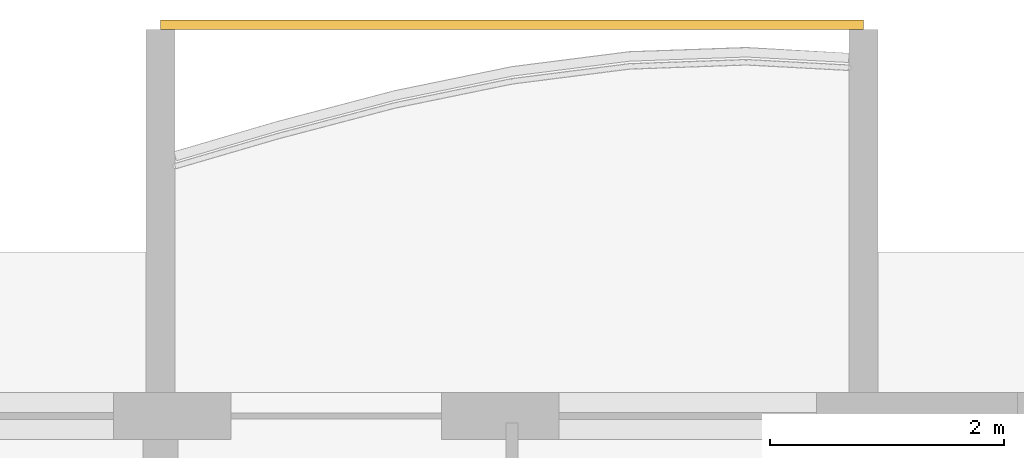
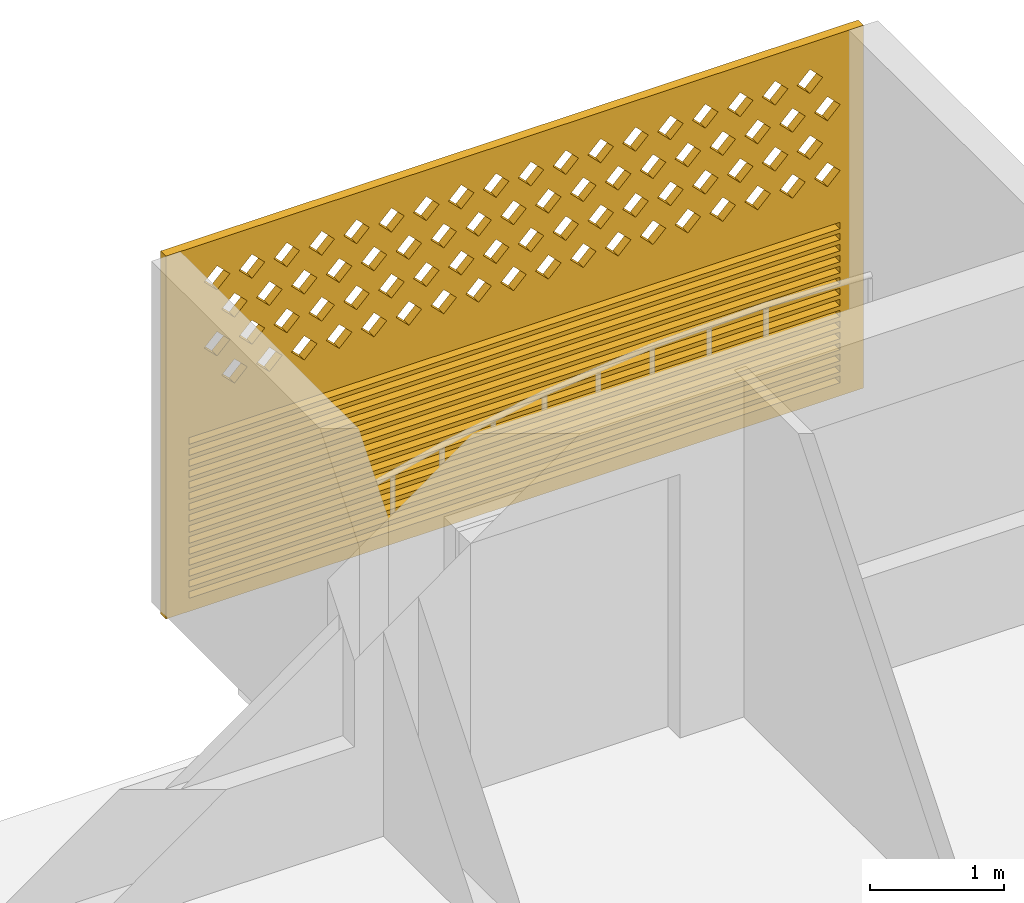
# One storey, part 32 of 32: 1 covering.
"""IFC4 building model written with IfcOpenShell, lengths in metres."""

from ifc_helpers import new_model, si_unit, direction, frame, origin, place, context, subcontext, project, spatial, polyline, outline, extrude, source, transform, mapped, material, material_profile, profile_set, type_object, element, save


model = new_model("IFC4")

# Units and contexts
model_context = context("Model", 3, precision=1e-05, world=origin(), true_north=direction((0.0, 1.0)))
body_context = subcontext(model_context, "Body", "Model", "MODEL_VIEW")
ifc_project = project(units=[si_unit("LENGTHUNIT", "METRE"), si_unit("AREAUNIT", "SQUARE_METRE"), si_unit("VOLUMEUNIT", "CUBIC_METRE"), si_unit("PLANEANGLEUNIT", "RADIAN"), si_unit("MASSUNIT", "GRAM", prefix="KILO")], contexts=[model_context])

# Site, building, storey
site_placement = place(None, origin())
site = spatial("IfcSite", under=ifc_project, at=site_placement, CompositionType="ELEMENT")
building_placement = place(site_placement, origin())
building = spatial("IfcBuilding", under=site, at=building_placement, Name="Poui Terraces", CompositionType="ELEMENT")
storey_placement = place(building_placement, frame((0.0, 0.0, 122.39990234375)))
storey = spatial("IfcBuildingStorey", under=building, at=storey_placement, Name="L33", CompositionType="ELEMENT", Elevation=122.39990234375)

# Covering
ifc_material = material(Name="Terracotta screen", Category="masonry")
ifc_material_profile = material_profile(ifc_material, outline(polyline([(-3.0, -1.64990234375), (3.0, -1.64990234375), (3.0, 1.64990234375), (-3.0, 1.64990234375), (-3.0, -1.64990234375)]), holes=[polyline([(-2.800048828125, 0.39990234375), (-2.68994140625, 0.2900390625), (-2.580078125, 0.39990234375), (-2.68994140625, 0.510009765625), (-2.800048828125, 0.39990234375)]), polyline([(-2.5, 0.39990234375), (-2.389892578125, 0.2900390625), (-2.280029296875, 0.39990234375), (-2.389892578125, 0.510009765625), (-2.5, 0.39990234375)]), polyline([(-2.199951171875, 0.39990234375), (-2.090087890625, 0.2900390625), (-1.97998046875, 0.39990234375), (-2.090087890625, 0.510009765625), (-2.199951171875, 0.39990234375)]), polyline([(-1.89990234375, 0.39990234375), (-1.7900390625, 0.2900390625), (-1.679931640625, 0.39990234375), (-1.7900390625, 0.510009765625), (-1.89990234375, 0.39990234375)]), polyline([(-1.60009765625, 0.39990234375), (-1.489990234375, 0.2900390625), (-1.3798828125, 0.39990234375), (-1.489990234375, 0.510009765625), (-1.60009765625, 0.39990234375)]), polyline([(-1.300048828125, 0.39990234375), (-1.18994140625, 0.2900390625), (-1.080078125, 0.39990234375), (-1.18994140625, 0.510009765625), (-1.300048828125, 0.39990234375)]), polyline([(-1.0, 0.39990234375), (-0.889892578125, 0.2900390625), (-0.780029296875, 0.39990234375), (-0.889892578125, 0.510009765625), (-1.0, 0.39990234375)]), polyline([(-0.699951171875, 0.39990234375), (-0.590087890625, 0.2900390625), (-0.47998046875, 0.39990234375), (-0.590087890625, 0.510009765625), (-0.699951171875, 0.39990234375)]), polyline([(-0.39990234375, 0.39990234375), (-0.2900390625, 0.2900390625), (-0.179931640625, 0.39990234375), (-0.2900390625, 0.510009765625), (-0.39990234375, 0.39990234375)]), polyline([(-0.10009765625, 0.39990234375), (0.010009765625, 0.2900390625), (0.1201171875, 0.39990234375), (0.010009765625, 0.510009765625), (-0.10009765625, 0.39990234375)]), polyline([(0.199951171875, 0.39990234375), (0.31005859375, 0.2900390625), (0.419921875, 0.39990234375), (0.31005859375, 0.510009765625), (0.199951171875, 0.39990234375)]), polyline([(0.5, 0.39990234375), (0.610107421875, 0.2900390625), (0.719970703125, 0.39990234375), (0.610107421875, 0.510009765625), (0.5, 0.39990234375)]), polyline([(0.800048828125, 0.39990234375), (0.909912109375, 0.2900390625), (1.02001953125, 0.39990234375), (0.909912109375, 0.510009765625), (0.800048828125, 0.39990234375)]), polyline([(1.10009765625, 0.39990234375), (1.2099609375, 0.2900390625), (1.320068359375, 0.39990234375), (1.2099609375, 0.510009765625), (1.10009765625, 0.39990234375)]), polyline([(1.39990234375, 0.39990234375), (1.510009765625, 0.2900390625), (1.6201171875, 0.39990234375), (1.510009765625, 0.510009765625), (1.39990234375, 0.39990234375)]), polyline([(1.699951171875, 0.39990234375), (1.81005859375, 0.2900390625), (1.919921875, 0.39990234375), (1.81005859375, 0.510009765625), (1.699951171875, 0.39990234375)]), polyline([(2.0, 0.39990234375), (2.110107421875, 0.2900390625), (2.219970703125, 0.39990234375), (2.110107421875, 0.510009765625), (2.0, 0.39990234375)]), polyline([(2.300048828125, 0.39990234375), (2.409912109375, 0.2900390625), (2.52001953125, 0.39990234375), (2.409912109375, 0.510009765625), (2.300048828125, 0.39990234375)]), polyline([(-2.64990234375, 0.699951171875), (-2.5400390625, 0.590087890625), (-2.429931640625, 0.699951171875), (-2.5400390625, 0.81005859375), (-2.64990234375, 0.699951171875)]), polyline([(-2.35009765625, 0.699951171875), (-2.239990234375, 0.590087890625), (-2.1298828125, 0.699951171875), (-2.239990234375, 0.81005859375), (-2.35009765625, 0.699951171875)]), polyline([(-2.050048828125, 0.699951171875), (-1.93994140625, 0.590087890625), (-1.830078125, 0.699951171875), (-1.93994140625, 0.81005859375), (-2.050048828125, 0.699951171875)]), polyline([(-1.75, 0.699951171875), (-1.639892578125, 0.590087890625), (-1.530029296875, 0.699951171875), (-1.639892578125, 0.81005859375), (-1.75, 0.699951171875)]), polyline([(-1.449951171875, 0.699951171875), (-1.340087890625, 0.590087890625), (-1.22998046875, 0.699951171875), (-1.340087890625, 0.81005859375), (-1.449951171875, 0.699951171875)]), polyline([(-1.14990234375, 0.699951171875), (-1.0400390625, 0.590087890625), (-0.929931640625, 0.699951171875), (-1.0400390625, 0.81005859375), (-1.14990234375, 0.699951171875)]), polyline([(-0.85009765625, 0.699951171875), (-0.739990234375, 0.590087890625), (-0.6298828125, 0.699951171875), (-0.739990234375, 0.81005859375), (-0.85009765625, 0.699951171875)]), polyline([(-0.550048828125, 0.699951171875), (-0.43994140625, 0.590087890625), (-0.330078125, 0.699951171875), (-0.43994140625, 0.81005859375), (-0.550048828125, 0.699951171875)]), polyline([(-0.25, 0.699951171875), (-0.139892578125, 0.590087890625), (-0.030029296875, 0.699951171875), (-0.139892578125, 0.81005859375), (-0.25, 0.699951171875)]), polyline([(0.050048828125, 0.699951171875), (0.159912109375, 0.590087890625), (0.27001953125, 0.699951171875), (0.159912109375, 0.81005859375), (0.050048828125, 0.699951171875)]), polyline([(0.35009765625, 0.699951171875), (0.4599609375, 0.590087890625), (0.570068359375, 0.699951171875), (0.4599609375, 0.81005859375), (0.35009765625, 0.699951171875)]), polyline([(0.64990234375, 0.699951171875), (0.760009765625, 0.590087890625), (0.8701171875, 0.699951171875), (0.760009765625, 0.81005859375), (0.64990234375, 0.699951171875)]), polyline([(0.949951171875, 0.699951171875), (1.06005859375, 0.590087890625), (1.169921875, 0.699951171875), (1.06005859375, 0.81005859375), (0.949951171875, 0.699951171875)]), polyline([(1.25, 0.699951171875), (1.360107421875, 0.590087890625), (1.469970703125, 0.699951171875), (1.360107421875, 0.81005859375), (1.25, 0.699951171875)]), polyline([(1.550048828125, 0.699951171875), (1.659912109375, 0.590087890625), (1.77001953125, 0.699951171875), (1.659912109375, 0.81005859375), (1.550048828125, 0.699951171875)]), polyline([(1.85009765625, 0.699951171875), (1.9599609375, 0.590087890625), (2.070068359375, 0.699951171875), (1.9599609375, 0.81005859375), (1.85009765625, 0.699951171875)]), polyline([(2.14990234375, 0.699951171875), (2.260009765625, 0.590087890625), (2.3701171875, 0.699951171875), (2.260009765625, 0.81005859375), (2.14990234375, 0.699951171875)]), polyline([(2.449951171875, 0.699951171875), (2.56005859375, 0.590087890625), (2.669921875, 0.699951171875), (2.56005859375, 0.81005859375), (2.449951171875, 0.699951171875)]), polyline([(-2.800048828125, 1.0), (-2.68994140625, 0.889892578125), (-2.580078125, 1.0), (-2.68994140625, 1.110107421875), (-2.800048828125, 1.0)]), polyline([(-2.5, 1.0), (-2.389892578125, 0.889892578125), (-2.280029296875, 1.0), (-2.389892578125, 1.110107421875), (-2.5, 1.0)]), polyline([(-2.199951171875, 1.0), (-2.090087890625, 0.889892578125), (-1.97998046875, 1.0), (-2.090087890625, 1.110107421875), (-2.199951171875, 1.0)]), polyline([(-1.89990234375, 1.0), (-1.7900390625, 0.889892578125), (-1.679931640625, 1.0), (-1.7900390625, 1.110107421875), (-1.89990234375, 1.0)]), polyline([(-1.60009765625, 1.0), (-1.489990234375, 0.889892578125), (-1.3798828125, 1.0), (-1.489990234375, 1.110107421875), (-1.60009765625, 1.0)]), polyline([(-1.300048828125, 1.0), (-1.18994140625, 0.889892578125), (-1.080078125, 1.0), (-1.18994140625, 1.110107421875), (-1.300048828125, 1.0)]), polyline([(-1.0, 1.0), (-0.889892578125, 0.889892578125), (-0.780029296875, 1.0), (-0.889892578125, 1.110107421875), (-1.0, 1.0)]), polyline([(-0.699951171875, 1.0), (-0.590087890625, 0.889892578125), (-0.47998046875, 1.0), (-0.590087890625, 1.110107421875), (-0.699951171875, 1.0)]), polyline([(-0.39990234375, 1.0), (-0.2900390625, 0.889892578125), (-0.179931640625, 1.0), (-0.2900390625, 1.110107421875), (-0.39990234375, 1.0)]), polyline([(-0.10009765625, 1.0), (0.010009765625, 0.889892578125), (0.1201171875, 1.0), (0.010009765625, 1.110107421875), (-0.10009765625, 1.0)]), polyline([(0.199951171875, 1.0), (0.31005859375, 0.889892578125), (0.419921875, 1.0), (0.31005859375, 1.110107421875), (0.199951171875, 1.0)]), polyline([(0.5, 1.0), (0.610107421875, 0.889892578125), (0.719970703125, 1.0), (0.610107421875, 1.110107421875), (0.5, 1.0)]), polyline([(0.800048828125, 1.0), (0.909912109375, 0.889892578125), (1.02001953125, 1.0), (0.909912109375, 1.110107421875), (0.800048828125, 1.0)]), polyline([(1.10009765625, 1.0), (1.2099609375, 0.889892578125), (1.320068359375, 1.0), (1.2099609375, 1.110107421875), (1.10009765625, 1.0)]), polyline([(1.39990234375, 1.0), (1.510009765625, 0.889892578125), (1.6201171875, 1.0), (1.510009765625, 1.110107421875), (1.39990234375, 1.0)]), polyline([(1.699951171875, 1.0), (1.81005859375, 0.889892578125), (1.919921875, 1.0), (1.81005859375, 1.110107421875), (1.699951171875, 1.0)]), polyline([(2.0, 1.0), (2.110107421875, 0.889892578125), (2.219970703125, 1.0), (2.110107421875, 1.110107421875), (2.0, 1.0)]), polyline([(2.300048828125, 1.0), (2.409912109375, 0.889892578125), (2.52001953125, 1.0), (2.409912109375, 1.110107421875), (2.300048828125, 1.0)]), polyline([(-2.64990234375, 1.300048828125), (-2.5400390625, 1.18994140625), (-2.429931640625, 1.300048828125), (-2.5400390625, 1.409912109375), (-2.64990234375, 1.300048828125)]), polyline([(-2.35009765625, 1.300048828125), (-2.239990234375, 1.18994140625), (-2.1298828125, 1.300048828125), (-2.239990234375, 1.409912109375), (-2.35009765625, 1.300048828125)]), polyline([(-2.050048828125, 1.300048828125), (-1.93994140625, 1.18994140625), (-1.830078125, 1.300048828125), (-1.93994140625, 1.409912109375), (-2.050048828125, 1.300048828125)]), polyline([(-1.75, 1.300048828125), (-1.639892578125, 1.18994140625), (-1.530029296875, 1.300048828125), (-1.639892578125, 1.409912109375), (-1.75, 1.300048828125)]), polyline([(-1.449951171875, 1.300048828125), (-1.340087890625, 1.18994140625), (-1.22998046875, 1.300048828125), (-1.340087890625, 1.409912109375), (-1.449951171875, 1.300048828125)]), polyline([(-1.14990234375, 1.300048828125), (-1.0400390625, 1.18994140625), (-0.929931640625, 1.300048828125), (-1.0400390625, 1.409912109375), (-1.14990234375, 1.300048828125)]), polyline([(-0.85009765625, 1.300048828125), (-0.739990234375, 1.18994140625), (-0.6298828125, 1.300048828125), (-0.739990234375, 1.409912109375), (-0.85009765625, 1.300048828125)]), polyline([(-0.550048828125, 1.300048828125), (-0.43994140625, 1.18994140625), (-0.330078125, 1.300048828125), (-0.43994140625, 1.409912109375), (-0.550048828125, 1.300048828125)]), polyline([(-0.25, 1.300048828125), (-0.139892578125, 1.18994140625), (-0.030029296875, 1.300048828125), (-0.139892578125, 1.409912109375), (-0.25, 1.300048828125)]), polyline([(0.050048828125, 1.300048828125), (0.159912109375, 1.18994140625), (0.27001953125, 1.300048828125), (0.159912109375, 1.409912109375), (0.050048828125, 1.300048828125)]), polyline([(0.35009765625, 1.300048828125), (0.4599609375, 1.18994140625), (0.570068359375, 1.300048828125), (0.4599609375, 1.409912109375), (0.35009765625, 1.300048828125)]), polyline([(0.64990234375, 1.300048828125), (0.760009765625, 1.18994140625), (0.8701171875, 1.300048828125), (0.760009765625, 1.409912109375), (0.64990234375, 1.300048828125)]), polyline([(0.949951171875, 1.300048828125), (1.06005859375, 1.18994140625), (1.169921875, 1.300048828125), (1.06005859375, 1.409912109375), (0.949951171875, 1.300048828125)]), polyline([(1.25, 1.300048828125), (1.360107421875, 1.18994140625), (1.469970703125, 1.300048828125), (1.360107421875, 1.409912109375), (1.25, 1.300048828125)]), polyline([(1.550048828125, 1.300048828125), (1.659912109375, 1.18994140625), (1.77001953125, 1.300048828125), (1.659912109375, 1.409912109375), (1.550048828125, 1.300048828125)]), polyline([(1.85009765625, 1.300048828125), (1.9599609375, 1.18994140625), (2.070068359375, 1.300048828125), (1.9599609375, 1.409912109375), (1.85009765625, 1.300048828125)]), polyline([(2.14990234375, 1.300048828125), (2.260009765625, 1.18994140625), (2.3701171875, 1.300048828125), (2.260009765625, 1.409912109375), (2.14990234375, 1.300048828125)]), polyline([(2.449951171875, 1.300048828125), (2.56005859375, 1.18994140625), (2.669921875, 1.300048828125), (2.56005859375, 1.409912109375), (2.449951171875, 1.300048828125)]), polyline([(-2.800048828125, -1.530029296875), (2.800048828125, -1.530029296875), (2.800048828125, -1.469970703125), (-2.800048828125, -1.469970703125), (-2.800048828125, -1.530029296875)]), polyline([(-2.800048828125, -1.429931640625), (2.800048828125, -1.429931640625), (2.800048828125, -1.3701171875), (-2.800048828125, -1.3701171875), (-2.800048828125, -1.429931640625)]), polyline([(-2.800048828125, -1.330078125), (2.800048828125, -1.330078125), (2.800048828125, -1.27001953125), (-2.800048828125, -1.27001953125), (-2.800048828125, -1.330078125)]), polyline([(-2.800048828125, -1.22998046875), (2.800048828125, -1.22998046875), (2.800048828125, -1.169921875), (-2.800048828125, -1.169921875), (-2.800048828125, -1.22998046875)]), polyline([(-2.800048828125, -1.1298828125), (2.800048828125, -1.1298828125), (2.800048828125, -1.070068359375), (-2.800048828125, -1.070068359375), (-2.800048828125, -1.1298828125)]), polyline([(-2.800048828125, -1.030029296875), (2.800048828125, -1.030029296875), (2.800048828125, -0.969970703125), (-2.800048828125, -0.969970703125), (-2.800048828125, -1.030029296875)]), polyline([(-2.800048828125, -0.929931640625), (2.800048828125, -0.929931640625), (2.800048828125, -0.8701171875), (-2.800048828125, -0.8701171875), (-2.800048828125, -0.929931640625)]), polyline([(-2.800048828125, -0.830078125), (2.800048828125, -0.830078125), (2.800048828125, -0.77001953125), (-2.800048828125, -0.77001953125), (-2.800048828125, -0.830078125)]), polyline([(-2.800048828125, -0.72998046875), (2.800048828125, -0.72998046875), (2.800048828125, -0.669921875), (-2.800048828125, -0.669921875), (-2.800048828125, -0.72998046875)]), polyline([(-2.800048828125, -0.6298828125), (2.800048828125, -0.6298828125), (2.800048828125, -0.570068359375), (-2.800048828125, -0.570068359375), (-2.800048828125, -0.6298828125)]), polyline([(-2.800048828125, -0.530029296875), (2.800048828125, -0.530029296875), (2.800048828125, -0.469970703125), (-2.800048828125, -0.469970703125), (-2.800048828125, -0.530029296875)]), polyline([(-2.800048828125, -0.429931640625), (2.800048828125, -0.429931640625), (2.800048828125, -0.3701171875), (-2.800048828125, -0.3701171875), (-2.800048828125, -0.429931640625)]), polyline([(-2.800048828125, -0.330078125), (2.800048828125, -0.330078125), (2.800048828125, -0.27001953125), (-2.800048828125, -0.27001953125), (-2.800048828125, -0.330078125)]), polyline([(-2.800048828125, -0.22998046875), (2.800048828125, -0.22998046875), (2.800048828125, -0.169921875), (-2.800048828125, -0.169921875), (-2.800048828125, -0.22998046875)]), polyline([(-2.800048828125, -0.1298828125), (2.800048828125, -0.1298828125), (2.800048828125, -0.070068359375), (-2.800048828125, -0.070068359375), (-2.800048828125, -0.1298828125)])]), Name="TERRACOTTA SCREEN AND JALOUSIE LOUVRE 6000X3300")
ifc_profile_set = profile_set([ifc_material_profile], Name="Terracotta screen")
covering_type = type_object("IfcCoveringType", Name="TERRACOTTA SCREEN AND JALOUSIE LOUVRE 6000X3300", PredefinedType="CLADDING", material=ifc_profile_set)
shared_shape = source(origin(), body_context, "Body", "SweptSolid", [
    extrude(outline(polyline([(-3.0, -1.64990234375), (3.0, -1.64990234375), (3.0, 1.64990234375), (-3.0, 1.64990234375), (-3.0, -1.64990234375)]), holes=[polyline([(-2.800048828125, 0.39990234375), (-2.68994140625, 0.2900390625), (-2.580078125, 0.39990234375), (-2.68994140625, 0.510009765625), (-2.800048828125, 0.39990234375)]), polyline([(-2.5, 0.39990234375), (-2.389892578125, 0.2900390625), (-2.280029296875, 0.39990234375), (-2.389892578125, 0.510009765625), (-2.5, 0.39990234375)]), polyline([(-2.199951171875, 0.39990234375), (-2.090087890625, 0.2900390625), (-1.97998046875, 0.39990234375), (-2.090087890625, 0.510009765625), (-2.199951171875, 0.39990234375)]), polyline([(-1.89990234375, 0.39990234375), (-1.7900390625, 0.2900390625), (-1.679931640625, 0.39990234375), (-1.7900390625, 0.510009765625), (-1.89990234375, 0.39990234375)]), polyline([(-1.60009765625, 0.39990234375), (-1.489990234375, 0.2900390625), (-1.3798828125, 0.39990234375), (-1.489990234375, 0.510009765625), (-1.60009765625, 0.39990234375)]), polyline([(-1.300048828125, 0.39990234375), (-1.18994140625, 0.2900390625), (-1.080078125, 0.39990234375), (-1.18994140625, 0.510009765625), (-1.300048828125, 0.39990234375)]), polyline([(-1.0, 0.39990234375), (-0.889892578125, 0.2900390625), (-0.780029296875, 0.39990234375), (-0.889892578125, 0.510009765625), (-1.0, 0.39990234375)]), polyline([(-0.699951171875, 0.39990234375), (-0.590087890625, 0.2900390625), (-0.47998046875, 0.39990234375), (-0.590087890625, 0.510009765625), (-0.699951171875, 0.39990234375)]), polyline([(-0.39990234375, 0.39990234375), (-0.2900390625, 0.2900390625), (-0.179931640625, 0.39990234375), (-0.2900390625, 0.510009765625), (-0.39990234375, 0.39990234375)]), polyline([(-0.10009765625, 0.39990234375), (0.010009765625, 0.2900390625), (0.1201171875, 0.39990234375), (0.010009765625, 0.510009765625), (-0.10009765625, 0.39990234375)]), polyline([(0.199951171875, 0.39990234375), (0.31005859375, 0.2900390625), (0.419921875, 0.39990234375), (0.31005859375, 0.510009765625), (0.199951171875, 0.39990234375)]), polyline([(0.5, 0.39990234375), (0.610107421875, 0.2900390625), (0.719970703125, 0.39990234375), (0.610107421875, 0.510009765625), (0.5, 0.39990234375)]), polyline([(0.800048828125, 0.39990234375), (0.909912109375, 0.2900390625), (1.02001953125, 0.39990234375), (0.909912109375, 0.510009765625), (0.800048828125, 0.39990234375)]), polyline([(1.10009765625, 0.39990234375), (1.2099609375, 0.2900390625), (1.320068359375, 0.39990234375), (1.2099609375, 0.510009765625), (1.10009765625, 0.39990234375)]), polyline([(1.39990234375, 0.39990234375), (1.510009765625, 0.2900390625), (1.6201171875, 0.39990234375), (1.510009765625, 0.510009765625), (1.39990234375, 0.39990234375)]), polyline([(1.699951171875, 0.39990234375), (1.81005859375, 0.2900390625), (1.919921875, 0.39990234375), (1.81005859375, 0.510009765625), (1.699951171875, 0.39990234375)]), polyline([(2.0, 0.39990234375), (2.110107421875, 0.2900390625), (2.219970703125, 0.39990234375), (2.110107421875, 0.510009765625), (2.0, 0.39990234375)]), polyline([(2.300048828125, 0.39990234375), (2.409912109375, 0.2900390625), (2.52001953125, 0.39990234375), (2.409912109375, 0.510009765625), (2.300048828125, 0.39990234375)]), polyline([(-2.64990234375, 0.699951171875), (-2.5400390625, 0.590087890625), (-2.429931640625, 0.699951171875), (-2.5400390625, 0.81005859375), (-2.64990234375, 0.699951171875)]), polyline([(-2.35009765625, 0.699951171875), (-2.239990234375, 0.590087890625), (-2.1298828125, 0.699951171875), (-2.239990234375, 0.81005859375), (-2.35009765625, 0.699951171875)]), polyline([(-2.050048828125, 0.699951171875), (-1.93994140625, 0.590087890625), (-1.830078125, 0.699951171875), (-1.93994140625, 0.81005859375), (-2.050048828125, 0.699951171875)]), polyline([(-1.75, 0.699951171875), (-1.639892578125, 0.590087890625), (-1.530029296875, 0.699951171875), (-1.639892578125, 0.81005859375), (-1.75, 0.699951171875)]), polyline([(-1.449951171875, 0.699951171875), (-1.340087890625, 0.590087890625), (-1.22998046875, 0.699951171875), (-1.340087890625, 0.81005859375), (-1.449951171875, 0.699951171875)]), polyline([(-1.14990234375, 0.699951171875), (-1.0400390625, 0.590087890625), (-0.929931640625, 0.699951171875), (-1.0400390625, 0.81005859375), (-1.14990234375, 0.699951171875)]), polyline([(-0.85009765625, 0.699951171875), (-0.739990234375, 0.590087890625), (-0.6298828125, 0.699951171875), (-0.739990234375, 0.81005859375), (-0.85009765625, 0.699951171875)]), polyline([(-0.550048828125, 0.699951171875), (-0.43994140625, 0.590087890625), (-0.330078125, 0.699951171875), (-0.43994140625, 0.81005859375), (-0.550048828125, 0.699951171875)]), polyline([(-0.25, 0.699951171875), (-0.139892578125, 0.590087890625), (-0.030029296875, 0.699951171875), (-0.139892578125, 0.81005859375), (-0.25, 0.699951171875)]), polyline([(0.050048828125, 0.699951171875), (0.159912109375, 0.590087890625), (0.27001953125, 0.699951171875), (0.159912109375, 0.81005859375), (0.050048828125, 0.699951171875)]), polyline([(0.35009765625, 0.699951171875), (0.4599609375, 0.590087890625), (0.570068359375, 0.699951171875), (0.4599609375, 0.81005859375), (0.35009765625, 0.699951171875)]), polyline([(0.64990234375, 0.699951171875), (0.760009765625, 0.590087890625), (0.8701171875, 0.699951171875), (0.760009765625, 0.81005859375), (0.64990234375, 0.699951171875)]), polyline([(0.949951171875, 0.699951171875), (1.06005859375, 0.590087890625), (1.169921875, 0.699951171875), (1.06005859375, 0.81005859375), (0.949951171875, 0.699951171875)]), polyline([(1.25, 0.699951171875), (1.360107421875, 0.590087890625), (1.469970703125, 0.699951171875), (1.360107421875, 0.81005859375), (1.25, 0.699951171875)]), polyline([(1.550048828125, 0.699951171875), (1.659912109375, 0.590087890625), (1.77001953125, 0.699951171875), (1.659912109375, 0.81005859375), (1.550048828125, 0.699951171875)]), polyline([(1.85009765625, 0.699951171875), (1.9599609375, 0.590087890625), (2.070068359375, 0.699951171875), (1.9599609375, 0.81005859375), (1.85009765625, 0.699951171875)]), polyline([(2.14990234375, 0.699951171875), (2.260009765625, 0.590087890625), (2.3701171875, 0.699951171875), (2.260009765625, 0.81005859375), (2.14990234375, 0.699951171875)]), polyline([(2.449951171875, 0.699951171875), (2.56005859375, 0.590087890625), (2.669921875, 0.699951171875), (2.56005859375, 0.81005859375), (2.449951171875, 0.699951171875)]), polyline([(-2.800048828125, 1.0), (-2.68994140625, 0.889892578125), (-2.580078125, 1.0), (-2.68994140625, 1.110107421875), (-2.800048828125, 1.0)]), polyline([(-2.5, 1.0), (-2.389892578125, 0.889892578125), (-2.280029296875, 1.0), (-2.389892578125, 1.110107421875), (-2.5, 1.0)]), polyline([(-2.199951171875, 1.0), (-2.090087890625, 0.889892578125), (-1.97998046875, 1.0), (-2.090087890625, 1.110107421875), (-2.199951171875, 1.0)]), polyline([(-1.89990234375, 1.0), (-1.7900390625, 0.889892578125), (-1.679931640625, 1.0), (-1.7900390625, 1.110107421875), (-1.89990234375, 1.0)]), polyline([(-1.60009765625, 1.0), (-1.489990234375, 0.889892578125), (-1.3798828125, 1.0), (-1.489990234375, 1.110107421875), (-1.60009765625, 1.0)]), polyline([(-1.300048828125, 1.0), (-1.18994140625, 0.889892578125), (-1.080078125, 1.0), (-1.18994140625, 1.110107421875), (-1.300048828125, 1.0)]), polyline([(-1.0, 1.0), (-0.889892578125, 0.889892578125), (-0.780029296875, 1.0), (-0.889892578125, 1.110107421875), (-1.0, 1.0)]), polyline([(-0.699951171875, 1.0), (-0.590087890625, 0.889892578125), (-0.47998046875, 1.0), (-0.590087890625, 1.110107421875), (-0.699951171875, 1.0)]), polyline([(-0.39990234375, 1.0), (-0.2900390625, 0.889892578125), (-0.179931640625, 1.0), (-0.2900390625, 1.110107421875), (-0.39990234375, 1.0)]), polyline([(-0.10009765625, 1.0), (0.010009765625, 0.889892578125), (0.1201171875, 1.0), (0.010009765625, 1.110107421875), (-0.10009765625, 1.0)]), polyline([(0.199951171875, 1.0), (0.31005859375, 0.889892578125), (0.419921875, 1.0), (0.31005859375, 1.110107421875), (0.199951171875, 1.0)]), polyline([(0.5, 1.0), (0.610107421875, 0.889892578125), (0.719970703125, 1.0), (0.610107421875, 1.110107421875), (0.5, 1.0)]), polyline([(0.800048828125, 1.0), (0.909912109375, 0.889892578125), (1.02001953125, 1.0), (0.909912109375, 1.110107421875), (0.800048828125, 1.0)]), polyline([(1.10009765625, 1.0), (1.2099609375, 0.889892578125), (1.320068359375, 1.0), (1.2099609375, 1.110107421875), (1.10009765625, 1.0)]), polyline([(1.39990234375, 1.0), (1.510009765625, 0.889892578125), (1.6201171875, 1.0), (1.510009765625, 1.110107421875), (1.39990234375, 1.0)]), polyline([(1.699951171875, 1.0), (1.81005859375, 0.889892578125), (1.919921875, 1.0), (1.81005859375, 1.110107421875), (1.699951171875, 1.0)]), polyline([(2.0, 1.0), (2.110107421875, 0.889892578125), (2.219970703125, 1.0), (2.110107421875, 1.110107421875), (2.0, 1.0)]), polyline([(2.300048828125, 1.0), (2.409912109375, 0.889892578125), (2.52001953125, 1.0), (2.409912109375, 1.110107421875), (2.300048828125, 1.0)]), polyline([(-2.64990234375, 1.300048828125), (-2.5400390625, 1.18994140625), (-2.429931640625, 1.300048828125), (-2.5400390625, 1.409912109375), (-2.64990234375, 1.300048828125)]), polyline([(-2.35009765625, 1.300048828125), (-2.239990234375, 1.18994140625), (-2.1298828125, 1.300048828125), (-2.239990234375, 1.409912109375), (-2.35009765625, 1.300048828125)]), polyline([(-2.050048828125, 1.300048828125), (-1.93994140625, 1.18994140625), (-1.830078125, 1.300048828125), (-1.93994140625, 1.409912109375), (-2.050048828125, 1.300048828125)]), polyline([(-1.75, 1.300048828125), (-1.639892578125, 1.18994140625), (-1.530029296875, 1.300048828125), (-1.639892578125, 1.409912109375), (-1.75, 1.300048828125)]), polyline([(-1.449951171875, 1.300048828125), (-1.340087890625, 1.18994140625), (-1.22998046875, 1.300048828125), (-1.340087890625, 1.409912109375), (-1.449951171875, 1.300048828125)]), polyline([(-1.14990234375, 1.300048828125), (-1.0400390625, 1.18994140625), (-0.929931640625, 1.300048828125), (-1.0400390625, 1.409912109375), (-1.14990234375, 1.300048828125)]), polyline([(-0.85009765625, 1.300048828125), (-0.739990234375, 1.18994140625), (-0.6298828125, 1.300048828125), (-0.739990234375, 1.409912109375), (-0.85009765625, 1.300048828125)]), polyline([(-0.550048828125, 1.300048828125), (-0.43994140625, 1.18994140625), (-0.330078125, 1.300048828125), (-0.43994140625, 1.409912109375), (-0.550048828125, 1.300048828125)]), polyline([(-0.25, 1.300048828125), (-0.139892578125, 1.18994140625), (-0.030029296875, 1.300048828125), (-0.139892578125, 1.409912109375), (-0.25, 1.300048828125)]), polyline([(0.050048828125, 1.300048828125), (0.159912109375, 1.18994140625), (0.27001953125, 1.300048828125), (0.159912109375, 1.409912109375), (0.050048828125, 1.300048828125)]), polyline([(0.35009765625, 1.300048828125), (0.4599609375, 1.18994140625), (0.570068359375, 1.300048828125), (0.4599609375, 1.409912109375), (0.35009765625, 1.300048828125)]), polyline([(0.64990234375, 1.300048828125), (0.760009765625, 1.18994140625), (0.8701171875, 1.300048828125), (0.760009765625, 1.409912109375), (0.64990234375, 1.300048828125)]), polyline([(0.949951171875, 1.300048828125), (1.06005859375, 1.18994140625), (1.169921875, 1.300048828125), (1.06005859375, 1.409912109375), (0.949951171875, 1.300048828125)]), polyline([(1.25, 1.300048828125), (1.360107421875, 1.18994140625), (1.469970703125, 1.300048828125), (1.360107421875, 1.409912109375), (1.25, 1.300048828125)]), polyline([(1.550048828125, 1.300048828125), (1.659912109375, 1.18994140625), (1.77001953125, 1.300048828125), (1.659912109375, 1.409912109375), (1.550048828125, 1.300048828125)]), polyline([(1.85009765625, 1.300048828125), (1.9599609375, 1.18994140625), (2.070068359375, 1.300048828125), (1.9599609375, 1.409912109375), (1.85009765625, 1.300048828125)]), polyline([(2.14990234375, 1.300048828125), (2.260009765625, 1.18994140625), (2.3701171875, 1.300048828125), (2.260009765625, 1.409912109375), (2.14990234375, 1.300048828125)]), polyline([(2.449951171875, 1.300048828125), (2.56005859375, 1.18994140625), (2.669921875, 1.300048828125), (2.56005859375, 1.409912109375), (2.449951171875, 1.300048828125)]), polyline([(-2.800048828125, -1.530029296875), (2.800048828125, -1.530029296875), (2.800048828125, -1.469970703125), (-2.800048828125, -1.469970703125), (-2.800048828125, -1.530029296875)]), polyline([(-2.800048828125, -1.429931640625), (2.800048828125, -1.429931640625), (2.800048828125, -1.3701171875), (-2.800048828125, -1.3701171875), (-2.800048828125, -1.429931640625)]), polyline([(-2.800048828125, -1.330078125), (2.800048828125, -1.330078125), (2.800048828125, -1.27001953125), (-2.800048828125, -1.27001953125), (-2.800048828125, -1.330078125)]), polyline([(-2.800048828125, -1.22998046875), (2.800048828125, -1.22998046875), (2.800048828125, -1.169921875), (-2.800048828125, -1.169921875), (-2.800048828125, -1.22998046875)]), polyline([(-2.800048828125, -1.1298828125), (2.800048828125, -1.1298828125), (2.800048828125, -1.070068359375), (-2.800048828125, -1.070068359375), (-2.800048828125, -1.1298828125)]), polyline([(-2.800048828125, -1.030029296875), (2.800048828125, -1.030029296875), (2.800048828125, -0.969970703125), (-2.800048828125, -0.969970703125), (-2.800048828125, -1.030029296875)]), polyline([(-2.800048828125, -0.929931640625), (2.800048828125, -0.929931640625), (2.800048828125, -0.8701171875), (-2.800048828125, -0.8701171875), (-2.800048828125, -0.929931640625)]), polyline([(-2.800048828125, -0.830078125), (2.800048828125, -0.830078125), (2.800048828125, -0.77001953125), (-2.800048828125, -0.77001953125), (-2.800048828125, -0.830078125)]), polyline([(-2.800048828125, -0.72998046875), (2.800048828125, -0.72998046875), (2.800048828125, -0.669921875), (-2.800048828125, -0.669921875), (-2.800048828125, -0.72998046875)]), polyline([(-2.800048828125, -0.6298828125), (2.800048828125, -0.6298828125), (2.800048828125, -0.570068359375), (-2.800048828125, -0.570068359375), (-2.800048828125, -0.6298828125)]), polyline([(-2.800048828125, -0.530029296875), (2.800048828125, -0.530029296875), (2.800048828125, -0.469970703125), (-2.800048828125, -0.469970703125), (-2.800048828125, -0.530029296875)]), polyline([(-2.800048828125, -0.429931640625), (2.800048828125, -0.429931640625), (2.800048828125, -0.3701171875), (-2.800048828125, -0.3701171875), (-2.800048828125, -0.429931640625)]), polyline([(-2.800048828125, -0.330078125), (2.800048828125, -0.330078125), (2.800048828125, -0.27001953125), (-2.800048828125, -0.27001953125), (-2.800048828125, -0.330078125)]), polyline([(-2.800048828125, -0.22998046875), (2.800048828125, -0.22998046875), (2.800048828125, -0.169921875), (-2.800048828125, -0.169921875), (-2.800048828125, -0.22998046875)]), polyline([(-2.800048828125, -0.1298828125), (2.800048828125, -0.1298828125), (2.800048828125, -0.070068359375), (-2.800048828125, -0.070068359375), (-2.800048828125, -0.1298828125)])]), origin(), (0.0, 0.0, 1.0), 0.080078125),
])
covering_placement = place(storey_placement, frame((81.0, 45.699951171875, 1.4501953125), z_axis=(0.0, 1.0, 0.0), x_axis=(-1.0, 0.0, 0.0)))
element("IfcCovering", 1, at=covering_placement, inside=storey, type_object=covering_type, Name="SOLAR SCREEN AND JALOUSIE LOUVRE", PredefinedType="CLADDING", context=body_context, shape_type="MappedRepresentation", body=[
    mapped(shared_shape, transform((0.0, 0.0, 0.0))),
])

save(model, "model.ifc")
